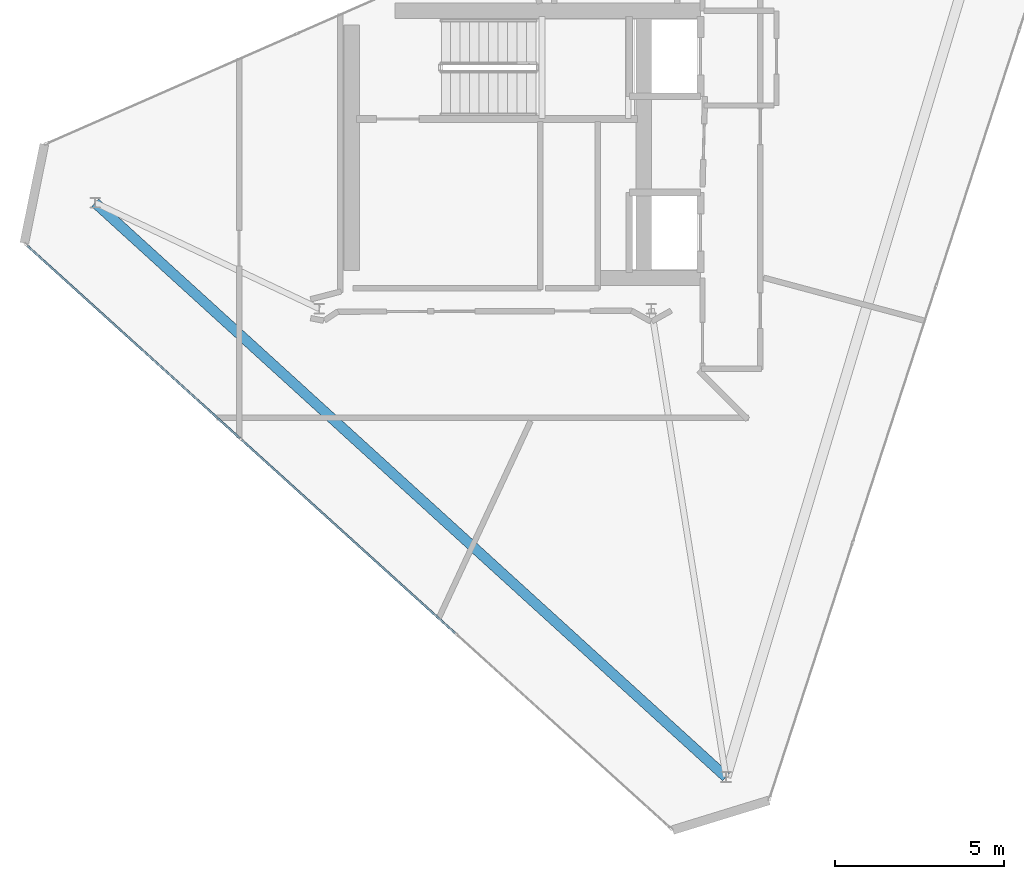
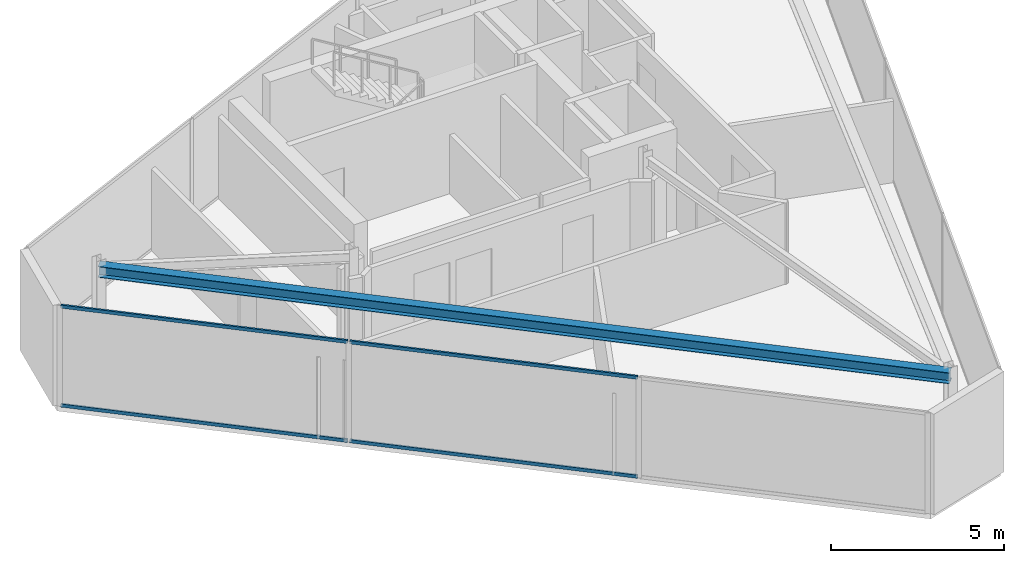
# One storey, part 4 of 14: 4 members, 1 beam, 1 element without a shape of its own.
"""IFC4 building model written with IfcOpenShell, lengths in metres."""

from ifc_helpers import new_model, si_unit, direction, frame, origin, origin_2d, place, context, subcontext, project, spatial, hollow_rectangle, i_section, extrude, material, layer, layer_set, material_profile, profile_set, type_object, element, aggregate, save


model = new_model("IFC4")

# Units and contexts
model_context = context("Model", 3, precision=1e-05, world=origin(), true_north=direction((0.0, 1.0)))
body_context = subcontext(model_context, "Body", "Model", "MODEL_VIEW")
ifc_project = project(units=[si_unit("LENGTHUNIT", "METRE"), si_unit("AREAUNIT", "SQUARE_METRE"), si_unit("VOLUMEUNIT", "CUBIC_METRE"), si_unit("PLANEANGLEUNIT", "RADIAN"), si_unit("MASSUNIT", "GRAM", prefix="KILO")], contexts=[model_context])

# Site, building, storey
site_placement = place(None, origin())
site = spatial("IfcSite", under=ifc_project, at=site_placement, CompositionType="ELEMENT")
building_placement = place(site_placement, origin())
building = spatial("IfcBuilding", under=site, at=building_placement, Name="Qianvela Tower", CompositionType="ELEMENT")
storey_placement = place(building_placement, frame((0.0, 0.0, 371.300048828125)))
storey = spatial("IfcBuildingStorey", under=building, at=storey_placement, Name="L96", CompositionType="ELEMENT", Elevation=371.300048828125)

# Beam
ifc_material_1 = material(Name="Steel Q355B", Category="steel")
ifc_material_profile_1 = material_profile(ifc_material_1, i_section(OverallWidth=0.300048828125, OverallDepth=0.389892578125, WebThickness=0.010009765625, FlangeThickness=0.01611328125, at=origin_2d()), Name="HM390x300x10x16")
ifc_profile_set_1 = profile_set([ifc_material_profile_1], Name="Steel Q355B")
beam_type = type_object("IfcBeamType", Name="BM-HM390-COLL", PredefinedType="BEAM", material=ifc_profile_set_1)
beam_placement = place(storey_placement, frame((40.60400390625, 10.027099609375, 3.35302734375), z_axis=(-0.73956574246, 0.673084327986, 0.0), x_axis=(-0.673084327986, -0.73956574246, 0.0)))
element("IfcBeam", 1, at=beam_placement, inside=storey, type_object=beam_type, Name="L96 Crown Perimeter Frame Girder 2", PredefinedType="BEAM", context=body_context, shape_type="SweptSolid", body=[
    extrude(i_section(OverallWidth=0.300048828125, OverallDepth=0.389892578125, WebThickness=0.010009765625, FlangeThickness=0.01611328125, at=origin_2d()), origin(), (0.0, 0.0, 1.0), 25.18115234375),
])

# Curtain wall, members
ifc_material_2 = material(Name="Anodised Architectural Aluminium and Low-E Glass", Category="aluminium")
ifc_layer = layer(ifc_material_2, 0.159912109375)
ifc_layer_set = layer_set([ifc_layer], Name="Anodised Architectural Aluminium and Low-E Glass")
curtain_wall_type = type_object("IfcCurtainWallType", Name="CW-CROWN", PredefinedType="USERDEFINED", material=ifc_layer_set)
curtain_wall_placement = place(storey_placement, origin())
curtain_wall = element("IfcCurtainWall", 2, at=curtain_wall_placement, inside=storey, type_object=curtain_wall_type, Name="L96 CW-CROWN Curtain Wall 04", ObjectType="CURTAIN_WALL_SYSTEM", PredefinedType="USERDEFINED")
ifc_material_3 = material(Name="Anodised Architectural Aluminium 6063-T6", Category="aluminium")
ifc_material_profile_2 = material_profile(ifc_material_3, hollow_rectangle(XDim=0.06005859375, YDim=0.114990234375, WallThickness=0.00390625, at=origin_2d()), Name="ALU-TRAN-60x115")
ifc_profile_set_2 = profile_set([ifc_material_profile_2], Name="Anodised Architectural Aluminium 6063-T6")
member_type = type_object("IfcMemberType", Name="CW-CROWN-TRAN", PredefinedType="USERDEFINED", material=ifc_profile_set_2)
member_1_placement = place(storey_placement, frame((19.97705078125, 25.70947265625, 0.030029296875), z_axis=(0.741281171347, -0.671194625282, 0.0), x_axis=(0.671194625282, 0.741281171347, 0.0)))
member_1 = element("IfcMember", 3, at=member_1_placement, type_object=member_type, Name="CW-8 transom 1.1", ObjectType="TRANSOM", PredefinedType="USERDEFINED", context=body_context, shape_type="SweptSolid", body=[
    extrude(hollow_rectangle(XDim=0.06005859375, YDim=0.114990234375, WallThickness=0.00390625, at=origin_2d()), origin(), (0.0, 0.0, 1.0), 8.47509765625),
])
member_2_placement = place(storey_placement, frame((19.97705078125, 25.70947265625, 3.52001953125), z_axis=(0.741281171347, -0.671194625282, 0.0), x_axis=(0.671194625282, 0.741281171347, 0.0)))
member_2 = element("IfcMember", 4, at=member_2_placement, type_object=member_type, Name="CW-8 transom 1.2", ObjectType="TRANSOM", PredefinedType="USERDEFINED", context=body_context, shape_type="SweptSolid", body=[
    extrude(hollow_rectangle(XDim=0.06005859375, YDim=0.114990234375, WallThickness=0.00390625, at=origin_2d()), origin(), (0.0, 0.0, 1.0), 8.47509765625),
])
member_3_placement = place(storey_placement, frame((26.307861328125, 19.977294921875, 0.030029296875), z_axis=(0.741276028015, -0.671200305639, 0.0), x_axis=(0.671200305639, 0.741276028015, 0.0)))
member_3 = element("IfcMember", 5, at=member_3_placement, type_object=member_type, Name="CW-8 transom 2.1", ObjectType="TRANSOM", PredefinedType="USERDEFINED", context=body_context, shape_type="SweptSolid", body=[
    extrude(hollow_rectangle(XDim=0.06005859375, YDim=0.114990234375, WallThickness=0.00390625, at=origin_2d()), origin(), (0.0, 0.0, 1.0), 8.5078125),
])
member_4_placement = place(storey_placement, frame((26.307861328125, 19.977294921875, 3.52001953125), z_axis=(0.741276028015, -0.671200305639, 0.0), x_axis=(0.671200305639, 0.741276028015, 0.0)))
member_4 = element("IfcMember", 6, at=member_4_placement, type_object=member_type, Name="CW-8 transom 2.2", ObjectType="TRANSOM", PredefinedType="USERDEFINED", context=body_context, shape_type="SweptSolid", body=[
    extrude(hollow_rectangle(XDim=0.06005859375, YDim=0.114990234375, WallThickness=0.00390625, at=origin_2d()), origin(), (0.0, 0.0, 1.0), 8.5078125),
])
aggregate(curtain_wall, [member_1, member_2, member_3, member_4])

save(model, "model.ifc")
